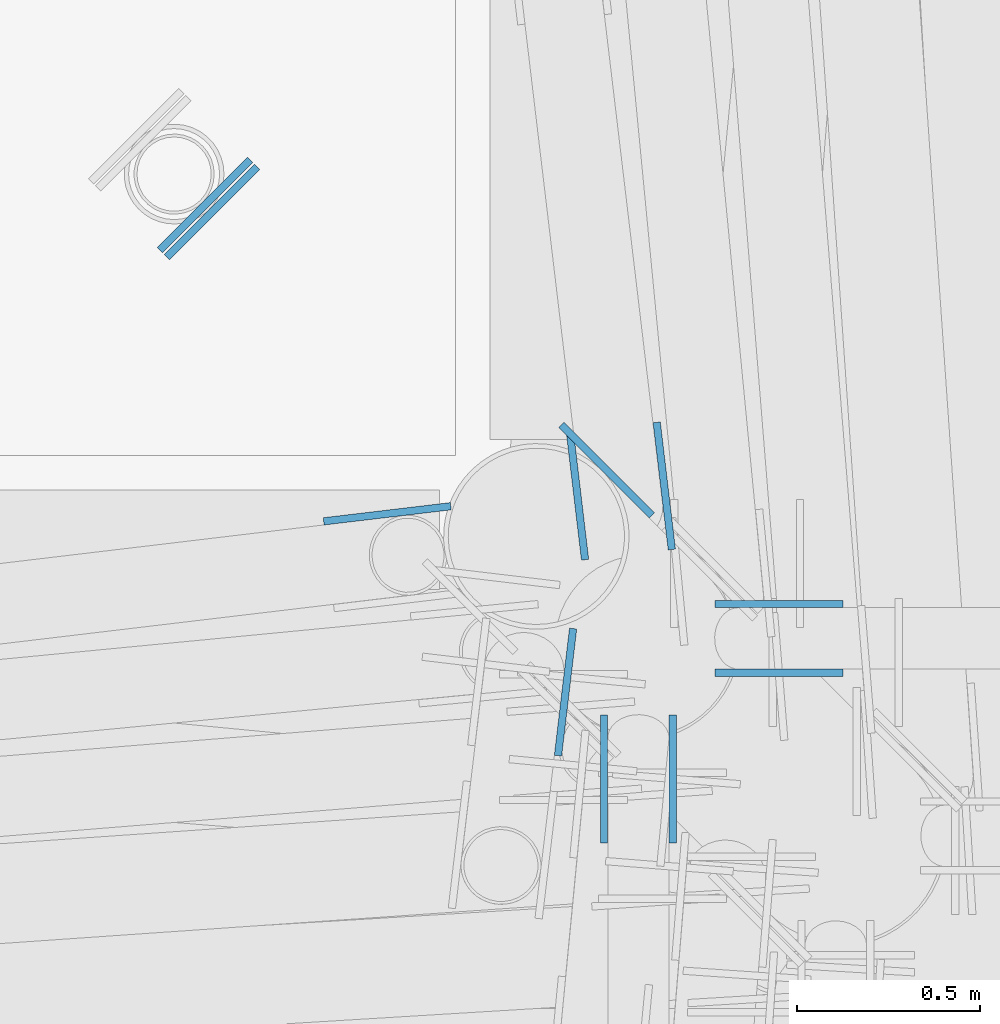
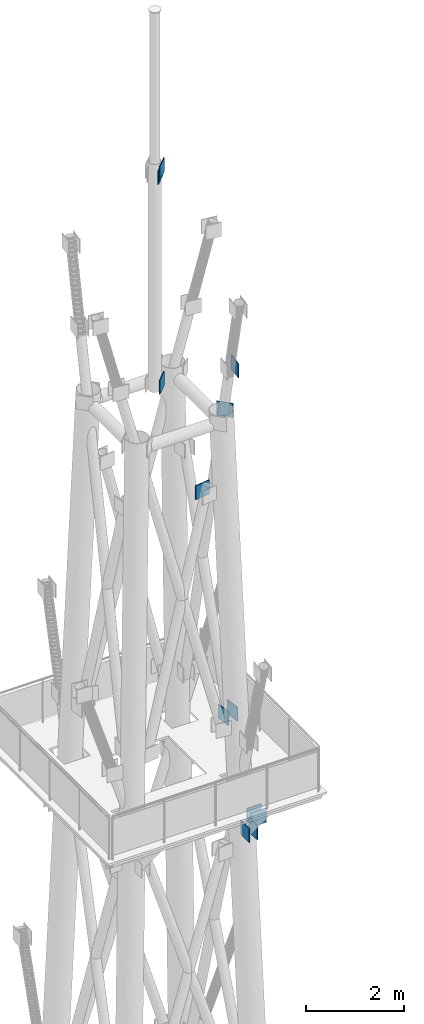
# One storey, part 12 of 25: 12 discrete accessories.
"""IFC4 building model written with IfcOpenShell, lengths in metres."""

from ifc_helpers import new_model, si_unit, direction, frame, origin, origin_2d, place, context, subcontext, project, spatial, rectangle, extrude, element, save


model = new_model("IFC4")

# Units and contexts
model_context = context("Model", 3, precision=1e-05, world=origin(), true_north=direction((0.0, 1.0)))
body_context = subcontext(model_context, "Body", "Model", "MODEL_VIEW")
ifc_project = project(units=[si_unit("LENGTHUNIT", "METRE"), si_unit("AREAUNIT", "SQUARE_METRE"), si_unit("VOLUMEUNIT", "CUBIC_METRE"), si_unit("PLANEANGLEUNIT", "RADIAN"), si_unit("MASSUNIT", "GRAM", prefix="KILO")], contexts=[model_context])

# Site, building, storey
site_placement = place(None, origin())
site = spatial("IfcSite", under=ifc_project, at=site_placement, CompositionType="ELEMENT")
building_placement = place(site_placement, origin())
building = spatial("IfcBuilding", under=site, at=building_placement, Name="Vidyagriha Tower", CompositionType="ELEMENT")
storey_placement = place(building_placement, frame((0.0, 0.0, 318.39990234375)))
storey = spatial("IfcBuildingStorey", under=building, at=storey_placement, Name="RF", CompositionType="ELEMENT", Elevation=318.39990234375)

# Discrete accessories
for number, where, z_axis, x_axis, name in (
    (1, (1.182861328125, 12.1904296875, 49.9501953125), (0.0, 0.0, 1.0), (-0.707106781187, 0.707106781187, 0.0), "End plate ASTM A572 Grade 50 20mm"),
    (2, (0.5830078125, 12.07080078125, 48.227783203125), (0.0, 0.0, 1.0), (0.99299585355, 0.118149205805, 0.0), "End plate ASTM A572 Grade 50 20mm"),
    (3, (1.3408203125, 12.14697265625, 42.42236328125), (0.0, 0.0, 1.0), (0.118149205805, -0.99299585355, 0.0), "End plate ASTM A572 Grade 50 20mm"),
    (4, (1.103515625, 12.118896484375, 42.42236328125), (0.0, 0.0, 1.0), (0.118149205805, -0.99299585355, 0.0), "End plate ASTM A572 Grade 50 20mm"),
    (5, (1.07080078125, 11.5830078125, 51.42236328125), (0.0, 0.0, 1.0), (0.118142273384, 0.992996678363, 0.0), "End plate ASTM A572 Grade 50 20mm"),
    (6, (1.654296875, 11.635986328125, 39.9609375), (0.0, 0.0, 1.0), (-1.0, 0.0, 0.0), "End plate ASTM A572 Grade 50 20mm"),
    (7, (1.654296875, 11.823974609375, 39.9609375), (0.0, 0.0, 1.0), (-1.0, 0.0, 0.0), "End plate ASTM A572 Grade 50 20mm"),
    (8, (1.176025390625, 11.345703125, 39.9609375), (0.0, 0.0, 1.0), (0.0, 1.0, 0.0), "End plate ASTM A572 Grade 50 20mm"),
    (9, (1.364013671875, 11.345703125, 39.9609375), (0.0, 0.0, 1.0), (0.0, 1.0, 0.0), "End plate ASTM A572 Grade 50 20mm"),
    (10, (0.103515625, 12.896484375, 50.5556640625), (0.0, 0.0, 1.0), (0.707106781187, 0.707106781187, 0.0), "End plate ASTM A572 Grade 50 20mm"),
    (11, (0.103515625, 12.896484375, 55.872314453125), (0.0, 0.0, 1.0), (0.707106781187, 0.707106781187, 0.0), "End plate ASTM A572 Grade 50 20mm"),
    (12, (0.08447265625, 12.91552734375, 55.772216796875), (0.0, 0.0, 1.0), (0.707106781187, 0.707106781187, 0.0), "End plate ASTM A572 Grade 50 20mm"),
):
    element("IfcDiscreteAccessory", number, at=place(storey_placement, frame(where, z_axis=z_axis, x_axis=x_axis)), inside=storey, Name=name, ObjectType="END PLATE", PredefinedType="USERDEFINED", context=body_context, shape_type="SweptSolid", body=[
        extrude(rectangle(XDim=0.35009765625, YDim=0.02001953125, at=origin_2d()), origin(), (0.0, 0.0, 1.0), 0.35009765625),
    ])

save(model, "model.ifc")
